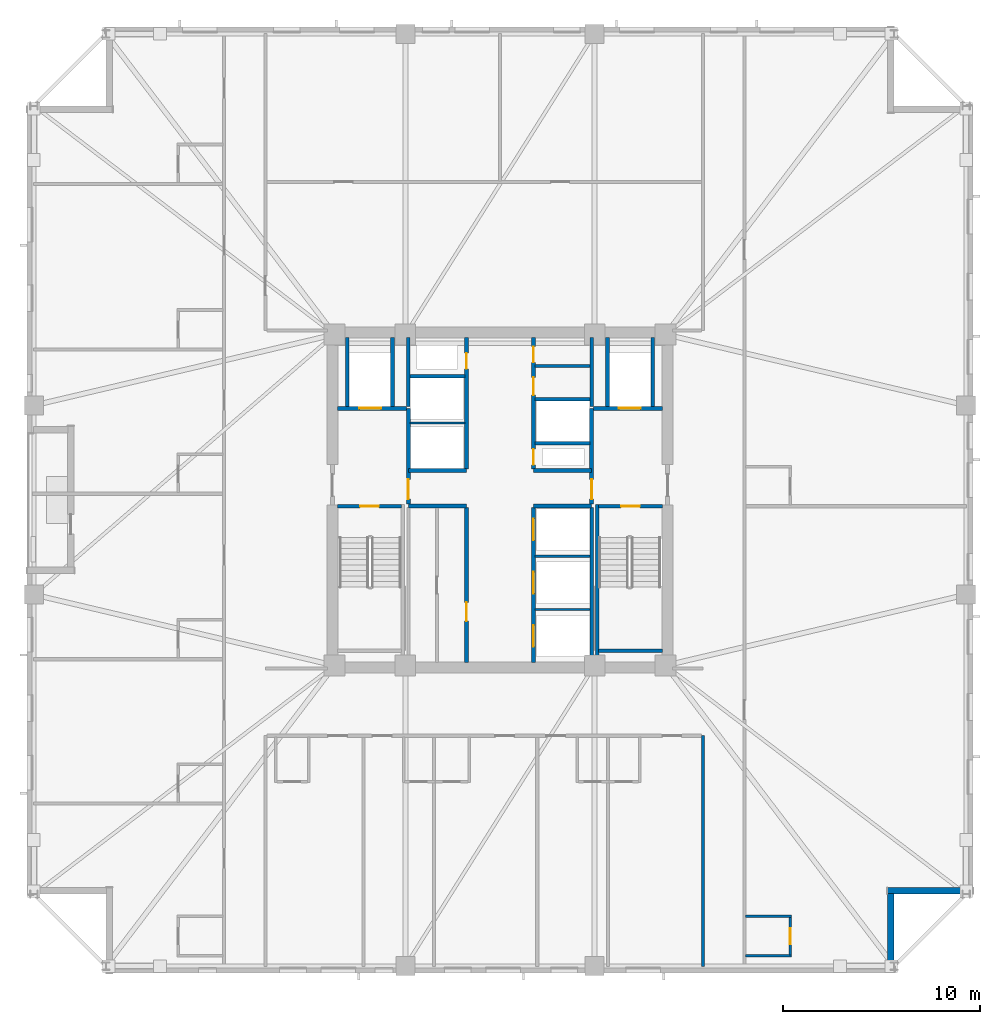
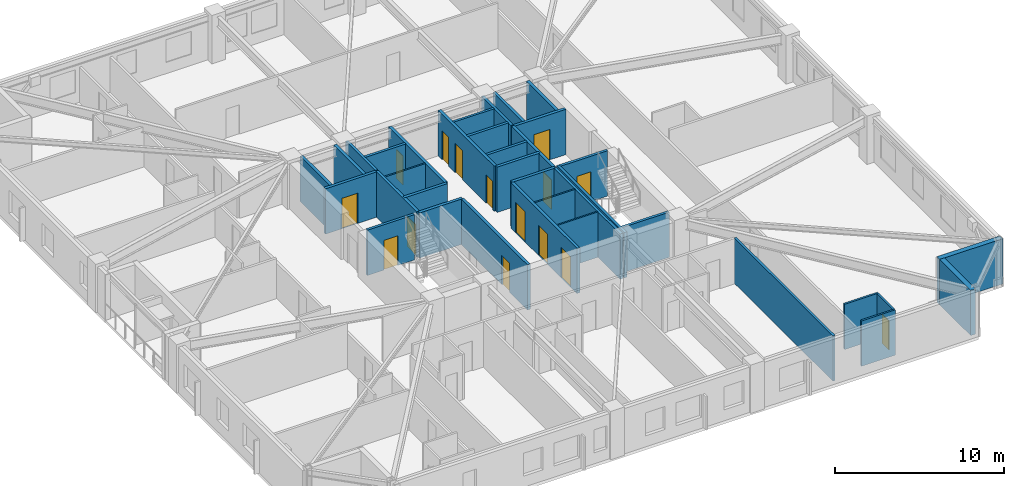
# One storey, part 4 of 11: 36 walls, 15 doors, 15 openings.
"""IFC4 building model written with IfcOpenShell, lengths in metres."""

from ifc_helpers import new_model, si_unit, direction, frame, frame_2d, origin, place, context, subcontext, project, spatial, rectangle, extrude, material, layer, layer_set, type_object, element, fill, save


model = new_model("IFC4")

# Units and contexts
model_context = context("Model", 3, precision=1e-05, world=origin(), true_north=direction((0.0, 1.0)))
body_context = subcontext(model_context, "Body", "Model", "MODEL_VIEW")
ifc_project = project(units=[si_unit("LENGTHUNIT", "METRE"), si_unit("AREAUNIT", "SQUARE_METRE"), si_unit("VOLUMEUNIT", "CUBIC_METRE"), si_unit("PLANEANGLEUNIT", "RADIAN"), si_unit("MASSUNIT", "GRAM", prefix="KILO")], contexts=[model_context])

# Site, building, storey
site_placement = place(None, origin())
site = spatial("IfcSite", under=ifc_project, at=site_placement, CompositionType="ELEMENT")
building_placement = place(site_placement, origin())
building = spatial("IfcBuilding", under=site, at=building_placement, Name="Cairnveth Concourse Tower", CompositionType="ELEMENT")
storey_placement = place(building_placement, frame((0.0, 0.0, 123.5)))
storey = spatial("IfcBuildingStorey", under=building, at=storey_placement, Name="L33", CompositionType="ELEMENT", Elevation=123.5)

# Walls
ifc_material_1 = material(Name="Gypsum Plasterboard Partition", Category="gypsum")
ifc_layer_1 = layer(ifc_material_1, 0.159912109375)
ifc_layer_set_1 = layer_set([ifc_layer_1], Name="Gypsum Plasterboard Partition")
wall_type_1 = type_object("IfcWallType", Name="ACOUSTIC PARTY WALL 180", PredefinedType="PARTITIONING", material=ifc_layer_set_1)
wall_1_placement = place(storey_placement, frame((53.784912109375, 45.800048828125, 0.0), z_axis=(0.0, 0.0, 1.0), x_axis=(1.0, 0.0, 0.0)))
element("IfcWall", 1, at=wall_1_placement, inside=storey, type_object=wall_type_1, Name="Interior Wall IW-L33-036", PredefinedType="PARTITIONING", context=body_context, shape_type="SweptSolid", body=[
    extrude(rectangle(XDim=2.7900390625, YDim=0.159912109375, at=frame_2d((1.39501953125, 0.0))), origin(), (0.0, 0.0, 1.0), 3.280029296875),
])
wall_2_placement = place(storey_placement, frame((62.300048828125, 15.324951171875, 0.0), z_axis=(0.0, 0.0, 1.0), x_axis=(0.0, 1.0, 0.0)))
element("IfcWall", 2, at=wall_2_placement, inside=storey, type_object=wall_type_1, Name="Interior Wall IW-L33-043", PredefinedType="PARTITIONING", context=body_context, shape_type="SweptSolid", body=[
    extrude(rectangle(XDim=11.715087890625, YDim=0.159912109375, at=frame_2d((5.857421875, 0.0))), origin(), (0.0, 0.0, 1.0), 3.280029296875),
])
ifc_material_2 = material(Name="Concrete N50 (50 MPa)", Category="concrete")
ifc_layer_2 = layer(ifc_material_2, 0.179931640625)
ifc_layer_set_2 = layer_set([ifc_layer_2], Name="Concrete N50 (50 MPa)")
wall_type_2 = type_object("IfcWallType", Name="FIRE SHAFT WALL 180", PredefinedType="SOLIDWALL", material=ifc_layer_set_2)
wall_3_placement = place(storey_placement, frame((56.64990234375, 30.760009765625, 0.0), z_axis=(0.0, 0.0, 1.0), x_axis=(0.0, 1.0, 0.0)))
element("IfcWall", 3, at=wall_3_placement, inside=storey, type_object=wall_type_2, Name="Interior Wall IW-L33-027", PredefinedType="SOLIDWALL", context=body_context, shape_type="SweptSolid", body=[
    extrude(rectangle(XDim=7.85498046875, YDim=0.179931640625, at=frame_2d((3.927490234375, 0.0))), origin(), (0.0, 0.0, 1.0), 3.280029296875),
])
wall_4_placement = place(storey_placement, frame((47.35009765625, 43.735107421875, 0.0), z_axis=(0.0, 0.0, 1.0), x_axis=(0.0, 1.0, 0.0)))
element("IfcWall", 4, at=wall_4_placement, inside=storey, type_object=wall_type_2, Name="Interior Wall IW-L33-030", PredefinedType="SOLIDWALL", context=body_context, shape_type="SweptSolid", body=[
    extrude(rectangle(XDim=3.5048828125, YDim=0.179931640625, at=frame_2d((1.75244140625, 0.0))), origin(), (0.0, 0.0, 1.0), 3.280029296875),
])
wall_5_placement = place(storey_placement, frame((47.425048828125, 45.280029296875, 0.0), z_axis=(0.0, 0.0, 1.0), x_axis=(1.0, 0.0, 0.0)))
element("IfcWall", 5, at=wall_5_placement, inside=storey, type_object=wall_type_2, Name="Interior Wall IW-L33-032", PredefinedType="SOLIDWALL", context=body_context, shape_type="SweptSolid", body=[
    extrude(rectangle(XDim=2.7900390625, YDim=0.179931640625, at=frame_2d((1.39501953125, 0.0))), origin(), (0.0, 0.0, 1.0), 3.280029296875),
])
wall_6_placement = place(storey_placement, frame((56.64990234375, 43.735107421875, 0.0), z_axis=(0.0, 0.0, 1.0), x_axis=(0.0, 1.0, 0.0)))
element("IfcWall", 6, at=wall_6_placement, inside=storey, type_object=wall_type_2, Name="Interior Wall IW-L33-033", PredefinedType="SOLIDWALL", context=body_context, shape_type="SweptSolid", body=[
    extrude(rectangle(XDim=3.5048828125, YDim=0.179931640625, at=frame_2d((1.75244140625, 0.0))), origin(), (0.0, 0.0, 1.0), 3.280029296875),
])
wall_7_placement = place(storey_placement, frame((53.784912109375, 41.8798828125, 0.0), z_axis=(0.0, 0.0, 1.0), x_axis=(1.0, 0.0, 0.0)))
element("IfcWall", 7, at=wall_7_placement, inside=storey, type_object=wall_type_2, Name="Interior Wall IW-L33-034", PredefinedType="SOLIDWALL", context=body_context, shape_type="SweptSolid", body=[
    extrude(rectangle(XDim=2.780029296875, YDim=0.179931640625, at=frame_2d((1.39013671875, 0.0))), origin(), (0.0, 0.0, 1.0), 3.280029296875),
])
wall_8_placement = place(storey_placement, frame((53.784912109375, 44.1201171875, 0.0), z_axis=(0.0, 0.0, 1.0), x_axis=(1.0, 0.0, 0.0)))
element("IfcWall", 8, at=wall_8_placement, inside=storey, type_object=wall_type_2, Name="Interior Wall IW-L33-035", PredefinedType="SOLIDWALL", context=body_context, shape_type="SweptSolid", body=[
    extrude(rectangle(XDim=2.7900390625, YDim=0.179931640625, at=frame_2d((1.39501953125, 0.0))), origin(), (0.0, 0.0, 1.0), 3.280029296875),
])

# Wall, opening, door
wall_9_placement = place(storey_placement, frame((43.764892578125, 38.68994140625, 0.0), z_axis=(0.0, 0.0, 1.0), x_axis=(1.0, 0.0, 0.0)))
wall_9 = element("IfcWall", 9, at=wall_9_placement, inside=storey, type_object=wall_type_2, Name="Stair ST-1 Shaft Wall NEAR L33", PredefinedType="SOLIDWALL", context=body_context, shape_type="SweptSolid", body=[
    extrude(rectangle(XDim=3.230224609375, YDim=0.179931640625, at=frame_2d((1.615234375, 0.0))), origin(), (0.0, 0.0, 1.0), 3.280029296875),
])
opening_1_placement = place(wall_9_placement, frame((1.139892578125, 0.0, 0.0)))
opening_1 = element("IfcOpeningElement", 10, at=opening_1_placement, cuts=wall_9, Name="Opening ID12", PredefinedType="OPENING", context=body_context, shape_type="SweptSolid", body=[
    extrude(rectangle(XDim=0.949951171875, YDim=2.14990234375, at=frame_2d((0.47509765625, 1.074951171875))), frame((0.0, 0.099853515625, 0.0), z_axis=(0.0, -1.0, 0.0), x_axis=(1.0, 0.0, 0.0)), (0.0, 0.0, 1.0), 0.199951171875),
])
ifc_material_3 = material(Name="Steel Grade 350", Category="steel")
door_type_1 = type_object("IfcDoorType", Name="FIRE STAIR DOOR 950X2150", OperationType="NOTDEFINED", PredefinedType="DOOR", material=ifc_material_3)
door_1_placement = place(opening_1_placement, origin())
door_1 = element("IfcDoor", 11, at=door_1_placement, inside=storey, type_object=door_type_1, Name="Stair ST-1 Fire Door L33", OperationType="SINGLE_SWING_LEFT", OverallHeight=2.14990234375, OverallWidth=0.949951171875, PredefinedType="DOOR", context=body_context, shape_type="SweptSolid", body=[
    extrude(rectangle(XDim=0.949951171875, YDim=2.14990234375, at=frame_2d((0.47509765625, 1.074951171875))), frame((0.0, 0.02490234375, 0.0), z_axis=(0.0, -1.0, 0.0), x_axis=(1.0, 0.0, 0.0)), (0.0, 0.0, 1.0), 0.050048828125),
])
fill(opening_1, door_1)

wall_10_placement = place(storey_placement, frame((57.0048828125, 38.68994140625, 0.0), z_axis=(0.0, 0.0, 1.0), x_axis=(1.0, 0.0, 0.0)))
wall_10 = element("IfcWall", 12, at=wall_10_placement, inside=storey, type_object=wall_type_2, Name="Stair ST-2 Shaft Wall NEAR L33", PredefinedType="SOLIDWALL", context=body_context, shape_type="SweptSolid", body=[
    extrude(rectangle(XDim=3.230224609375, YDim=0.179931640625, at=frame_2d((1.615234375, 0.0))), origin(), (0.0, 0.0, 1.0), 3.280029296875),
])
opening_2_placement = place(wall_10_placement, frame((1.139892578125, 0.0, 0.0)))
opening_2 = element("IfcOpeningElement", 13, at=opening_2_placement, cuts=wall_10, Name="Opening ID12", PredefinedType="OPENING", context=body_context, shape_type="SweptSolid", body=[
    extrude(rectangle(XDim=0.949951171875, YDim=2.14990234375, at=frame_2d((0.47509765625, 1.074951171875))), frame((0.0, 0.099853515625, 0.0), z_axis=(0.0, -1.0, 0.0), x_axis=(1.0, 0.0, 0.0)), (0.0, 0.0, 1.0), 0.199951171875),
])
door_2_placement = place(opening_2_placement, origin())
door_2 = element("IfcDoor", 14, at=door_2_placement, inside=storey, type_object=door_type_1, Name="Stair ST-2 Fire Door L33", OperationType="SINGLE_SWING_RIGHT", OverallHeight=2.14990234375, OverallWidth=0.949951171875, PredefinedType="DOOR", context=body_context, shape_type="SweptSolid", body=[
    extrude(rectangle(XDim=0.949951171875, YDim=2.14990234375, at=frame_2d((0.47509765625, 1.074951171875))), frame((0.0, 0.02490234375, 0.0), z_axis=(0.0, -1.0, 0.0), x_axis=(1.0, 0.0, 0.0)), (0.0, 0.0, 1.0), 0.050048828125),
])
fill(opening_2, door_2)

# Walls
wall_11_placement = place(storey_placement, frame((57.0048828125, 31.360107421875, 0.0), z_axis=(0.0, 0.0, 1.0), x_axis=(1.0, 0.0, 0.0)))
element("IfcWall", 15, at=wall_11_placement, inside=storey, type_object=wall_type_2, Name="Stair ST-2 Shaft Wall FAR L33", PredefinedType="SOLIDWALL", context=body_context, shape_type="SweptSolid", body=[
    extrude(rectangle(XDim=3.230224609375, YDim=0.179931640625, at=frame_2d((1.615234375, 0.0))), origin(), (0.0, 0.0, 1.0), 3.280029296875),
])
wall_12_placement = place(storey_placement, frame((56.929931640625, 38.780029296875, 0.0), z_axis=(0.0, 0.0, 1.0), x_axis=(0.0, -1.0, 0.0)))
element("IfcWall", 16, at=wall_12_placement, inside=storey, type_object=wall_type_2, Name="Stair ST-2 Shaft Wall LEFT L33", PredefinedType="SOLIDWALL", context=body_context, shape_type="SweptSolid", body=[
    extrude(rectangle(XDim=8.01708984375, YDim=0.179931640625, at=frame_2d((4.008544921875, 0.0))), origin(), (0.0, 0.0, 1.0), 3.280029296875),
])
ifc_layer_3 = layer(ifc_material_2, 0.199951171875)
ifc_layer_set_3 = layer_set([ifc_layer_3], Name="Concrete N50 (50 MPa)")
wall_type_3 = type_object("IfcWallType", Name="FIRE SHAFT WALL 200", PredefinedType="SOLIDWALL", material=ifc_layer_set_3)
for number, where, z_axis, x_axis, name in (
    (17, (47.35009765625, 38.699951171875, 0.0), (0.0, 0.0, 1.0), (1.0, 0.0, 0.0), "Interior Wall IW-L33-007"),
    (18, (47.35009765625, 40.5, 0.0), (0.0, 0.0, 1.0), (1.0, 0.0, 0.0), "Interior Wall IW-L33-008"),
    (19, (53.699951171875, 38.699951171875, 0.0), (0.0, 0.0, 1.0), (1.0, 0.0, 0.0), "Interior Wall IW-L33-009"),
    (20, (53.699951171875, 40.5, 0.0), (0.0, 0.0, 1.0), (1.0, 0.0, 0.0), "Interior Wall IW-L33-010"),
):
    element("IfcWall", number, at=place(storey_placement, frame(where, z_axis=z_axis, x_axis=x_axis)), inside=storey, type_object=wall_type_3, Name=name, PredefinedType="SOLIDWALL", context=body_context, shape_type="SweptSolid", body=[
        extrude(rectangle(XDim=2.949951171875, YDim=0.199951171875, at=frame_2d((1.47509765625, 0.0))), origin(), (0.0, 0.0, 1.0), 3.280029296875),
    ])

# Wall, opening, door
wall_13_placement = place(storey_placement, frame((50.300048828125, 30.760009765625, 0.0), z_axis=(0.0, 0.0, 1.0), x_axis=(0.0, 1.0, 0.0)))
wall_13 = element("IfcWall", 21, at=wall_13_placement, inside=storey, type_object=wall_type_3, Name="Interior Wall IW-L33-011", PredefinedType="SOLIDWALL", context=body_context, shape_type="SweptSolid", body=[
    extrude(rectangle(XDim=7.85498046875, YDim=0.199951171875, at=frame_2d((3.927490234375, 0.0))), origin(), (0.0, 0.0, 1.0), 3.280029296875),
])
opening_3_placement = place(wall_13_placement, frame((2.090087890625, 0.0, 0.0)))
opening_3 = element("IfcOpeningElement", 22, at=opening_3_placement, cuts=wall_13, Name="Opening ID25", PredefinedType="OPENING", context=body_context, shape_type="SweptSolid", body=[
    extrude(rectangle(XDim=0.949951171875, YDim=2.1201171875, at=frame_2d((0.47509765625, 1.06005859375))), frame((0.0, 0.10986328125, 0.0), z_axis=(0.0, -1.0, 0.0), x_axis=(1.0, 0.0, 0.0)), (0.0, 0.0, 1.0), 0.219970703125),
])
door_type_2 = type_object("IfcDoorType", Name="CORE ACCESSIBLE FIRE DOOR 950X2120", OperationType="NOTDEFINED", PredefinedType="DOOR", material=ifc_material_3)
door_3_placement = place(opening_3_placement, origin())
door_3 = element("IfcDoor", 23, at=door_3_placement, inside=storey, type_object=door_type_2, Name="Accessible WC Suite Door L33", OperationType="SINGLE_SWING_LEFT", OverallHeight=2.1201171875, OverallWidth=0.949951171875, PredefinedType="DOOR", context=body_context, shape_type="SweptSolid", body=[
    extrude(rectangle(XDim=0.949951171875, YDim=2.1201171875, at=frame_2d((0.47509765625, 1.06005859375))), frame((0.0, 0.02490234375, 0.0), z_axis=(0.0, -1.0, 0.0), x_axis=(1.0, 0.0, 0.0)), (0.0, 0.0, 1.0), 0.050048828125),
])
fill(opening_3, door_3)

# Wall, openings, doors
wall_14_placement = place(storey_placement, frame((53.699951171875, 30.760009765625, 0.0), z_axis=(0.0, 0.0, 1.0), x_axis=(0.0, 1.0, 0.0)))
wall_14 = element("IfcWall", 24, at=wall_14_placement, inside=storey, type_object=wall_type_3, Name="Interior Wall IW-L33-012", PredefinedType="SOLIDWALL", context=body_context, shape_type="SweptSolid", body=[
    extrude(rectangle(XDim=7.85498046875, YDim=0.199951171875, at=frame_2d((3.927490234375, 0.0))), origin(), (0.0, 0.0, 1.0), 3.280029296875),
])
opening_4_placement = place(wall_14_placement, frame((0.7900390625, 0.0, 0.0)))
opening_4 = element("IfcOpeningElement", 25, at=opening_4_placement, cuts=wall_14, Name="Opening LD-1", PredefinedType="OPENING", context=body_context, shape_type="SweptSolid", body=[
    extrude(rectangle(XDim=1.10009765625, YDim=2.199951171875, at=frame_2d((0.550048828125, 1.10009765625))), frame((0.0, 0.10986328125, 0.0), z_axis=(0.0, -1.0, 0.0), x_axis=(1.0, 0.0, 0.0)), (0.0, 0.0, 1.0), 0.219970703125),
])
opening_5_placement = place(wall_14_placement, frame((3.489990234375, 0.0, 0.0)))
opening_5 = element("IfcOpeningElement", 26, at=opening_5_placement, cuts=wall_14, Name="Opening LD-1", PredefinedType="OPENING", context=body_context, shape_type="SweptSolid", body=[
    extrude(rectangle(XDim=1.10009765625, YDim=2.199951171875, at=frame_2d((0.550048828125, 1.10009765625))), frame((0.0, 0.10986328125, 0.0), z_axis=(0.0, -1.0, 0.0), x_axis=(1.0, 0.0, 0.0)), (0.0, 0.0, 1.0), 0.219970703125),
])
opening_6_placement = place(wall_14_placement, frame((6.18994140625, 0.0, 0.0)))
opening_6 = element("IfcOpeningElement", 27, at=opening_6_placement, cuts=wall_14, Name="Opening LD-1", PredefinedType="OPENING", context=body_context, shape_type="SweptSolid", body=[
    extrude(rectangle(XDim=1.10009765625, YDim=2.199951171875, at=frame_2d((0.550048828125, 1.10009765625))), frame((0.0, 0.10986328125, 0.0), z_axis=(0.0, -1.0, 0.0), x_axis=(1.0, 0.0, 0.0)), (0.0, 0.0, 1.0), 0.219970703125),
])
ifc_material_4 = material(Name="Architectural Bronze Anodised Aluminium 6063-T6", Category="aluminium")
door_type_3 = type_object("IfcDoorType", Name="LIFT LANDING DOOR 1100X2200", OperationType="SLIDING_TO_LEFT", PredefinedType="DOOR", material=ifc_material_4)
door_4_placement = place(opening_4_placement, origin())
door_4 = element("IfcDoor", 28, at=door_4_placement, inside=storey, type_object=door_type_3, Name="Lift PL4 Landing Door L33", OperationType="SLIDING_TO_LEFT", OverallHeight=2.199951171875, OverallWidth=1.10009765625, PredefinedType="DOOR", context=body_context, shape_type="SweptSolid", body=[
    extrude(rectangle(XDim=1.10009765625, YDim=2.199951171875, at=frame_2d((0.550048828125, 1.10009765625))), frame((0.0, 0.02490234375, 0.0), z_axis=(0.0, -1.0, 0.0), x_axis=(1.0, 0.0, 0.0)), (0.0, 0.0, 1.0), 0.050048828125),
])
fill(opening_4, door_4)
door_5_placement = place(opening_5_placement, origin())
door_5 = element("IfcDoor", 29, at=door_5_placement, inside=storey, type_object=door_type_3, Name="Lift PL5 Landing Door L33", OperationType="SLIDING_TO_LEFT", OverallHeight=2.199951171875, OverallWidth=1.10009765625, PredefinedType="DOOR", context=body_context, shape_type="SweptSolid", body=[
    extrude(rectangle(XDim=1.10009765625, YDim=2.199951171875, at=frame_2d((0.550048828125, 1.10009765625))), frame((0.0, 0.02490234375, 0.0), z_axis=(0.0, -1.0, 0.0), x_axis=(1.0, 0.0, 0.0)), (0.0, 0.0, 1.0), 0.050048828125),
])
fill(opening_5, door_5)
door_6_placement = place(opening_6_placement, origin())
door_6 = element("IfcDoor", 30, at=door_6_placement, inside=storey, type_object=door_type_3, Name="Lift PL6 Landing Door L33", OperationType="SLIDING_TO_LEFT", OverallHeight=2.199951171875, OverallWidth=1.10009765625, PredefinedType="DOOR", context=body_context, shape_type="SweptSolid", body=[
    extrude(rectangle(XDim=1.10009765625, YDim=2.199951171875, at=frame_2d((0.550048828125, 1.10009765625))), frame((0.0, 0.02490234375, 0.0), z_axis=(0.0, -1.0, 0.0), x_axis=(1.0, 0.0, 0.0)), (0.0, 0.0, 1.0), 0.050048828125),
])
fill(opening_6, door_6)

# Wall, opening, door
wall_15_placement = place(storey_placement, frame((50.300048828125, 40.5849609375, 0.0), z_axis=(0.0, 0.0, 1.0), x_axis=(0.0, 1.0, 0.0)))
wall_15 = element("IfcWall", 31, at=wall_15_placement, inside=storey, type_object=wall_type_3, Name="Interior Wall IW-L33-013", PredefinedType="SOLIDWALL", context=body_context, shape_type="SweptSolid", body=[
    extrude(rectangle(XDim=6.655029296875, YDim=0.199951171875, at=frame_2d((3.32763671875, 0.0))), origin(), (0.0, 0.0, 1.0), 3.280029296875),
])
opening_7_placement = place(wall_15_placement, frame((5.06494140625, 0.0, 0.0)))
opening_7 = element("IfcOpeningElement", 32, at=opening_7_placement, cuts=wall_15, Name="Opening ID24", PredefinedType="OPENING", context=body_context, shape_type="SweptSolid", body=[
    extrude(rectangle(XDim=0.800048828125, YDim=2.080078125, at=frame_2d((0.39990234375, 1.0400390625))), frame((0.0, 0.10986328125, 0.0), z_axis=(0.0, -1.0, 0.0), x_axis=(1.0, 0.0, 0.0)), (0.0, 0.0, 1.0), 0.219970703125),
])
door_type_4 = type_object("IfcDoorType", Name="RISER ACCESS DOOR 800X2100", OperationType="NOTDEFINED", PredefinedType="DOOR", material=ifc_material_3)
door_7_placement = place(opening_7_placement, origin())
door_7 = element("IfcDoor", 33, at=door_7_placement, inside=storey, type_object=door_type_4, Name="NW Electrical Riser Access Door L33", OperationType="SINGLE_SWING_RIGHT", OverallHeight=2.080078125, OverallWidth=0.800048828125, PredefinedType="DOOR", context=body_context, shape_type="SweptSolid", body=[
    extrude(rectangle(XDim=0.800048828125, YDim=2.080078125, at=frame_2d((0.39990234375, 1.0400390625))), frame((0.0, 0.02490234375, 0.0), z_axis=(0.0, -1.0, 0.0), x_axis=(1.0, 0.0, 0.0)), (0.0, 0.0, 1.0), 0.050048828125),
])
fill(opening_7, door_7)

# Wall, openings, doors
wall_16_placement = place(storey_placement, frame((53.699951171875, 40.5849609375, 0.0), z_axis=(0.0, 0.0, 1.0), x_axis=(0.0, 1.0, 0.0)))
wall_16 = element("IfcWall", 34, at=wall_16_placement, inside=storey, type_object=wall_type_3, Name="Interior Wall IW-L33-014", PredefinedType="SOLIDWALL", context=body_context, shape_type="SweptSolid", body=[
    extrude(rectangle(XDim=6.655029296875, YDim=0.199951171875, at=frame_2d((3.32763671875, 0.0))), origin(), (0.0, 0.0, 1.0), 3.280029296875),
])
opening_8_placement = place(wall_16_placement, frame((0.195068359375, 0.0, 0.0)))
opening_8 = element("IfcOpeningElement", 35, at=opening_8_placement, cuts=wall_16, Name="Opening ID24", PredefinedType="OPENING", context=body_context, shape_type="SweptSolid", body=[
    extrude(rectangle(XDim=0.800048828125, YDim=2.080078125, at=frame_2d((0.39990234375, 1.0400390625))), frame((0.0, 0.10986328125, 0.0), z_axis=(0.0, -1.0, 0.0), x_axis=(1.0, 0.0, 0.0)), (0.0, 0.0, 1.0), 0.219970703125),
])
opening_9_placement = place(wall_16_placement, frame((3.735107421875, 0.0, 0.0)))
opening_9 = element("IfcOpeningElement", 36, at=opening_9_placement, cuts=wall_16, Name="Opening ID26", PredefinedType="OPENING", context=body_context, shape_type="SweptSolid", body=[
    extrude(rectangle(XDim=0.89990234375, YDim=2.1201171875, at=frame_2d((0.449951171875, 1.06005859375))), frame((0.0, 0.10986328125, 0.0), z_axis=(0.0, -1.0, 0.0), x_axis=(1.0, 0.0, 0.0)), (0.0, 0.0, 1.0), 0.219970703125),
])
opening_10_placement = place(wall_16_placement, frame((5.39501953125, 0.0, 0.0)))
opening_10 = element("IfcOpeningElement", 37, at=opening_10_placement, cuts=wall_16, Name="Opening ID23", PredefinedType="OPENING", context=body_context, shape_type="SweptSolid", body=[
    extrude(rectangle(XDim=0.800048828125, YDim=2.10009765625, at=frame_2d((0.39990234375, 1.050048828125))), frame((0.0, 0.10986328125, 0.0), z_axis=(0.0, -1.0, 0.0), x_axis=(1.0, 0.0, 0.0)), (0.0, 0.0, 1.0), 0.219970703125),
])
door_type_5 = type_object("IfcDoorType", Name="CORE SERVICE DOOR 800X2100", OperationType="NOTDEFINED", PredefinedType="DOOR", material=ifc_material_3)
door_8_placement = place(opening_10_placement, origin())
door_8 = element("IfcDoor", 38, at=door_8_placement, inside=storey, type_object=door_type_5, Name="Core NE Cleaners Door L33", OperationType="SINGLE_SWING_LEFT", OverallHeight=2.10009765625, OverallWidth=0.800048828125, PredefinedType="DOOR", context=body_context, shape_type="SweptSolid", body=[
    extrude(rectangle(XDim=0.800048828125, YDim=2.10009765625, at=frame_2d((0.39990234375, 1.050048828125))), frame((0.0, 0.02490234375, 0.0), z_axis=(0.0, -1.0, 0.0), x_axis=(1.0, 0.0, 0.0)), (0.0, 0.0, 1.0), 0.050048828125),
])
fill(opening_10, door_8)
door_type_6 = type_object("IfcDoorType", Name="CORE TOILET FIRE DOOR 900X2120", OperationType="NOTDEFINED", PredefinedType="DOOR", material=ifc_material_3)
door_9_placement = place(opening_9_placement, origin())
door_9 = element("IfcDoor", 39, at=door_9_placement, inside=storey, type_object=door_type_6, Name="Core NE Unisex WC Door L33", OperationType="SINGLE_SWING_RIGHT", OverallHeight=2.1201171875, OverallWidth=0.89990234375, PredefinedType="DOOR", context=body_context, shape_type="SweptSolid", body=[
    extrude(rectangle(XDim=0.89990234375, YDim=2.1201171875, at=frame_2d((0.449951171875, 1.06005859375))), frame((0.0, 0.02490234375, 0.0), z_axis=(0.0, -1.0, 0.0), x_axis=(1.0, 0.0, 0.0)), (0.0, 0.0, 1.0), 0.050048828125),
])
fill(opening_9, door_9)
door_10_placement = place(opening_8_placement, origin())
door_10 = element("IfcDoor", 40, at=door_10_placement, inside=storey, type_object=door_type_4, Name="Hydraulic Riser Door L33", OperationType="SINGLE_SWING_LEFT", OverallHeight=2.080078125, OverallWidth=0.800048828125, PredefinedType="DOOR", context=body_context, shape_type="SweptSolid", body=[
    extrude(rectangle(XDim=0.800048828125, YDim=2.080078125, at=frame_2d((0.39990234375, 1.0400390625))), frame((0.0, 0.02490234375, 0.0), z_axis=(0.0, -1.0, 0.0), x_axis=(1.0, 0.0, 0.0)), (0.0, 0.0, 1.0), 0.050048828125),
])
fill(opening_8, door_10)

# Wall, opening, door
wall_17_placement = place(storey_placement, frame((47.35009765625, 38.784912109375, 0.0), z_axis=(0.0, 0.0, 1.0), x_axis=(0.0, 1.0, 0.0)))
wall_17 = element("IfcWall", 41, at=wall_17_placement, inside=storey, type_object=wall_type_3, Name="Interior Wall IW-L33-016", PredefinedType="SOLIDWALL", context=body_context, shape_type="SweptSolid", body=[
    extrude(rectangle(XDim=4.864990234375, YDim=0.199951171875, at=frame_2d((2.4326171875, 0.0))), origin(), (0.0, 0.0, 1.0), 3.280029296875),
])
opening_11_placement = place(wall_17_placement, frame((0.264892578125, 0.0, 0.0)))
opening_11 = element("IfcOpeningElement", 42, at=opening_11_placement, cuts=wall_17, Name="Opening ID07", PredefinedType="OPENING", context=body_context, shape_type="SweptSolid", body=[
    extrude(rectangle(XDim=1.0, YDim=2.14990234375, at=frame_2d((0.5, 1.074951171875))), frame((0.0, 0.10986328125, 0.0), z_axis=(0.0, -1.0, 0.0), x_axis=(1.0, 0.0, 0.0)), (0.0, 0.0, 1.0), 0.219970703125),
])
door_type_7 = type_object("IfcDoorType", Name="FIRE CORRIDOR DOOR 1000X2150", OperationType="NOTDEFINED", PredefinedType="DOOR", material=ifc_material_3)
door_11_placement = place(opening_11_placement, origin())
door_11 = element("IfcDoor", 43, at=door_11_placement, inside=storey, type_object=door_type_7, Name="FF Lobby West to Lift Lobby Door L33", OperationType="SINGLE_SWING_RIGHT", OverallHeight=2.14990234375, OverallWidth=1.0, PredefinedType="DOOR", context=body_context, shape_type="SweptSolid", body=[
    extrude(rectangle(XDim=1.0, YDim=2.14990234375, at=frame_2d((0.5, 1.074951171875))), frame((0.0, 0.02490234375, 0.0), z_axis=(0.0, -1.0, 0.0), x_axis=(1.0, 0.0, 0.0)), (0.0, 0.0, 1.0), 0.050048828125),
])
fill(opening_11, door_11)

wall_18_placement = place(storey_placement, frame((43.760009765625, 43.64990234375, 0.0), z_axis=(0.0, 0.0, 1.0), x_axis=(1.0, 0.0, 0.0)))
wall_18 = element("IfcWall", 44, at=wall_18_placement, inside=storey, type_object=wall_type_3, Name="Interior Wall IW-L33-017", PredefinedType="SOLIDWALL", context=body_context, shape_type="SweptSolid", body=[
    extrude(rectangle(XDim=3.5048828125, YDim=0.199951171875, at=frame_2d((1.75244140625, 0.0))), origin(), (0.0, 0.0, 1.0), 3.280029296875),
])
opening_12_placement = place(wall_18_placement, frame((1.110107421875, 0.0, 0.0)))
opening_12 = element("IfcOpeningElement", 45, at=opening_12_placement, cuts=wall_18, Name="Opening LD-1", PredefinedType="OPENING", context=body_context, shape_type="SweptSolid", body=[
    extrude(rectangle(XDim=1.10009765625, YDim=2.199951171875, at=frame_2d((0.550048828125, 1.10009765625))), frame((0.0, 0.10986328125, 0.0), z_axis=(0.0, -1.0, 0.0), x_axis=(1.0, 0.0, 0.0)), (0.0, 0.0, 1.0), 0.219970703125),
])
door_12_placement = place(opening_12_placement, origin())
door_12 = element("IfcDoor", 46, at=door_12_placement, inside=storey, type_object=door_type_3, Name="Lift FFL1 Landing Door L33", OperationType="SLIDING_TO_LEFT", OverallHeight=2.199951171875, OverallWidth=1.10009765625, PredefinedType="DOOR", context=body_context, shape_type="SweptSolid", body=[
    extrude(rectangle(XDim=1.10009765625, YDim=2.199951171875, at=frame_2d((0.550048828125, 1.10009765625))), frame((0.0, 0.02490234375, 0.0), z_axis=(0.0, -1.0, 0.0), x_axis=(1.0, 0.0, 0.0)), (0.0, 0.0, 1.0), 0.050048828125),
])
fill(opening_12, door_12)

# Walls
for number, where, z_axis, x_axis, name in (
    (47, (46.550048828125, 43.735107421875, 0.0), (0.0, 0.0, 1.0), (0.0, 1.0, 0.0), "Interior Wall IW-L33-018"),
    (48, (44.25, 43.735107421875, 0.0), (0.0, 0.0, 1.0), (0.0, 1.0, 0.0), "Interior Wall IW-L33-019"),
):
    element("IfcWall", number, at=place(storey_placement, frame(where, z_axis=z_axis, x_axis=x_axis)), inside=storey, type_object=wall_type_3, Name=name, PredefinedType="SOLIDWALL", context=body_context, shape_type="SweptSolid", body=[
        extrude(rectangle(XDim=3.5048828125, YDim=0.199951171875, at=frame_2d((1.75244140625, 0.0))), origin(), (0.0, 0.0, 1.0), 3.280029296875),
    ])

# Wall, opening, door
wall_19_placement = place(storey_placement, frame((56.64990234375, 38.784912109375, 0.0), z_axis=(0.0, 0.0, 1.0), x_axis=(0.0, 1.0, 0.0)))
wall_19 = element("IfcWall", 49, at=wall_19_placement, inside=storey, type_object=wall_type_3, Name="Interior Wall IW-L33-021", PredefinedType="SOLIDWALL", context=body_context, shape_type="SweptSolid", body=[
    extrude(rectangle(XDim=4.864990234375, YDim=0.199951171875, at=frame_2d((2.4326171875, 0.0))), origin(), (0.0, 0.0, 1.0), 3.280029296875),
])
opening_13_placement = place(wall_19_placement, frame((0.264892578125, 0.0, 0.0)))
opening_13 = element("IfcOpeningElement", 50, at=opening_13_placement, cuts=wall_19, Name="Opening ID07", PredefinedType="OPENING", context=body_context, shape_type="SweptSolid", body=[
    extrude(rectangle(XDim=1.0, YDim=2.14990234375, at=frame_2d((0.5, 1.074951171875))), frame((0.0, 0.10986328125, 0.0), z_axis=(0.0, -1.0, 0.0), x_axis=(1.0, 0.0, 0.0)), (0.0, 0.0, 1.0), 0.219970703125),
])
door_13_placement = place(opening_13_placement, origin())
door_13 = element("IfcDoor", 51, at=door_13_placement, inside=storey, type_object=door_type_7, Name="FF Lobby East to Lift Lobby Door L33", OperationType="SINGLE_SWING_LEFT", OverallHeight=2.14990234375, OverallWidth=1.0, PredefinedType="DOOR", context=body_context, shape_type="SweptSolid", body=[
    extrude(rectangle(XDim=1.0, YDim=2.14990234375, at=frame_2d((0.5, 1.074951171875))), frame((0.0, 0.02490234375, 0.0), z_axis=(0.0, -1.0, 0.0), x_axis=(1.0, 0.0, 0.0)), (0.0, 0.0, 1.0), 0.050048828125),
])
fill(opening_13, door_13)

wall_20_placement = place(storey_placement, frame((56.735107421875, 43.64990234375, 0.0), z_axis=(0.0, 0.0, 1.0), x_axis=(1.0, 0.0, 0.0)))
wall_20 = element("IfcWall", 52, at=wall_20_placement, inside=storey, type_object=wall_type_3, Name="Interior Wall IW-L33-022", PredefinedType="SOLIDWALL", context=body_context, shape_type="SweptSolid", body=[
    extrude(rectangle(XDim=3.5048828125, YDim=0.199951171875, at=frame_2d((1.75244140625, 0.0))), origin(), (0.0, 0.0, 1.0), 3.280029296875),
])
opening_14_placement = place(wall_20_placement, frame((1.294921875, 0.0, 0.0)))
opening_14 = element("IfcOpeningElement", 53, at=opening_14_placement, cuts=wall_20, Name="Opening LD-1", PredefinedType="OPENING", context=body_context, shape_type="SweptSolid", body=[
    extrude(rectangle(XDim=1.10009765625, YDim=2.199951171875, at=frame_2d((0.550048828125, 1.10009765625))), frame((0.0, 0.10986328125, 0.0), z_axis=(0.0, -1.0, 0.0), x_axis=(1.0, 0.0, 0.0)), (0.0, 0.0, 1.0), 0.219970703125),
])
door_14_placement = place(opening_14_placement, origin())
door_14 = element("IfcDoor", 54, at=door_14_placement, inside=storey, type_object=door_type_3, Name="Lift FFL2 Landing Door L33", OperationType="SLIDING_TO_LEFT", OverallHeight=2.199951171875, OverallWidth=1.10009765625, PredefinedType="DOOR", context=body_context, shape_type="SweptSolid", body=[
    extrude(rectangle(XDim=1.10009765625, YDim=2.199951171875, at=frame_2d((0.550048828125, 1.10009765625))), frame((0.0, 0.02490234375, 0.0), z_axis=(0.0, -1.0, 0.0), x_axis=(1.0, 0.0, 0.0)), (0.0, 0.0, 1.0), 0.050048828125),
])
fill(opening_14, door_14)

# Walls
for number, where, z_axis, x_axis, name in (
    (55, (57.449951171875, 43.735107421875, 0.0), (0.0, 0.0, 1.0), (0.0, 1.0, 0.0), "Interior Wall IW-L33-023"),
    (56, (59.75, 43.735107421875, 0.0), (0.0, 0.0, 1.0), (0.0, 1.0, 0.0), "Interior Wall IW-L33-024"),
):
    element("IfcWall", number, at=place(storey_placement, frame(where, z_axis=z_axis, x_axis=x_axis)), inside=storey, type_object=wall_type_3, Name=name, PredefinedType="SOLIDWALL", context=body_context, shape_type="SweptSolid", body=[
        extrude(rectangle(XDim=3.5048828125, YDim=0.199951171875, at=frame_2d((1.75244140625, 0.0))), origin(), (0.0, 0.0, 1.0), 3.280029296875),
    ])
ifc_layer_4 = layer(ifc_material_1, 0.110107421875)
ifc_layer_set_4 = layer_set([ifc_layer_4], Name="Gypsum Plasterboard Partition")
wall_type_4 = type_object("IfcWallType", Name="SHAFT DIVIDER WALL 140", PredefinedType="PARTITIONING", material=ifc_layer_set_4)
for number, where, z_axis, x_axis, name in (
    (57, (53.784912109375, 33.449951171875, 0.0), (0.0, 0.0, 1.0), (1.0, 0.0, 0.0), "Interior Wall IW-L33-028"),
    (58, (53.784912109375, 36.14990234375, 0.0), (0.0, 0.0, 1.0), (1.0, 0.0, 0.0), "Interior Wall IW-L33-029"),
):
    element("IfcWall", number, at=place(storey_placement, frame(where, z_axis=z_axis, x_axis=x_axis)), inside=storey, type_object=wall_type_4, Name=name, PredefinedType="PARTITIONING", context=body_context, shape_type="SweptSolid", body=[
        extrude(rectangle(XDim=2.7900390625, YDim=0.110107421875, at=frame_2d((1.39501953125, 0.0))), origin(), (0.0, 0.0, 1.0), 3.280029296875),
    ])
wall_21_placement = place(storey_placement, frame((47.43505859375, 42.89990234375, 0.0), z_axis=(0.0, 0.0, 1.0), x_axis=(1.0, 0.0, 0.0)))
element("IfcWall", 59, at=wall_21_placement, inside=storey, type_object=wall_type_4, Name="Interior Wall IW-L33-031", PredefinedType="PARTITIONING", context=body_context, shape_type="SweptSolid", body=[
    extrude(rectangle(XDim=2.780029296875, YDim=0.110107421875, at=frame_2d((1.39013671875, 0.0))), origin(), (0.0, 0.0, 1.0), 3.280029296875),
])
ifc_layer_5 = layer(ifc_material_1, 0.1298828125)
ifc_layer_set_5 = layer_set([ifc_layer_5], Name="Gypsum Plasterboard Partition")
wall_type_5 = type_object("IfcWallType", Name="WET AREA PARTITION 140", PredefinedType="PLUMBINGWALL", material=ifc_layer_set_5)
for number, where, z_axis, x_axis, name in (
    (60, (64.465087890625, 15.8701171875, 0.0), (0.0, 0.0, 1.0), (1.0, 0.0, 0.0), "Interior Wall IW-L33-083"),
    (61, (64.465087890625, 17.8701171875, 0.0), (0.0, 0.0, 1.0), (1.0, 0.0, 0.0), "Interior Wall IW-L33-084"),
):
    element("IfcWall", number, at=place(storey_placement, frame(where, z_axis=z_axis, x_axis=x_axis)), inside=storey, type_object=wall_type_5, Name=name, PredefinedType="PLUMBINGWALL", context=body_context, shape_type="SweptSolid", body=[
        extrude(rectangle(XDim=2.31494140625, YDim=0.1298828125, at=frame_2d((1.157470703125, 0.0))), origin(), (0.0, 0.0, 1.0), 3.280029296875),
    ])

# Wall, opening, door
wall_22_placement = place(storey_placement, frame((66.72998046875, 15.919921875, 0.0), z_axis=(0.0, 0.0, 1.0), x_axis=(0.0, 1.0, 0.0)))
wall_22 = element("IfcWall", 62, at=wall_22_placement, inside=storey, type_object=wall_type_5, Name="Interior Wall IW-L33-085", PredefinedType="PLUMBINGWALL", context=body_context, shape_type="SweptSolid", body=[
    extrude(rectangle(XDim=1.900146484375, YDim=0.1298828125, at=frame_2d((0.9501953125, 0.0))), origin(), (0.0, 0.0, 1.0), 3.280029296875),
])
opening_15_placement = place(wall_22_placement, frame((0.5400390625, 0.0, 0.0)))
opening_15 = element("IfcOpeningElement", 63, at=opening_15_placement, cuts=wall_22, Name="Opening ID22", PredefinedType="OPENING", context=body_context, shape_type="SweptSolid", body=[
    extrude(rectangle(XDim=0.820068359375, YDim=2.10009765625, at=frame_2d((0.41015625, 1.050048828125))), frame((0.0, 0.074951171875, 0.0), z_axis=(0.0, -1.0, 0.0), x_axis=(1.0, 0.0, 0.0)), (0.0, 0.0, 1.0), 0.14990234375),
])
ifc_material_5 = material(Name="Solid Core Hardwood Timber Leaf", Category="wood")
door_type_8 = type_object("IfcDoorType", Name="INTERIOR WC DOOR 820X2100", OperationType="NOTDEFINED", PredefinedType="DOOR", material=ifc_material_5)
door_15_placement = place(opening_15_placement, origin())
door_15 = element("IfcDoor", 64, at=door_15_placement, inside=storey, type_object=door_type_8, Name="En-Suite Door L33-E1", OperationType="SINGLE_SWING_LEFT", OverallHeight=2.10009765625, OverallWidth=0.820068359375, PredefinedType="DOOR", context=body_context, shape_type="SweptSolid", body=[
    extrude(rectangle(XDim=0.820068359375, YDim=2.10009765625, at=frame_2d((0.41015625, 1.050048828125))), frame((0.0, 0.02490234375, 0.0), z_axis=(0.0, -1.0, 0.0), x_axis=(1.0, 0.0, 0.0)), (0.0, 0.0, 1.0), 0.050048828125),
])
fill(opening_15, door_15)

# Walls
ifc_material_6 = material(Name="Hawthorn Red-Ochre Fired Clay Brick Masonry", Category="masonry")
ifc_layer_6 = layer(ifc_material_6, 0.340087890625)
ifc_layer_set_6 = layer_set([ifc_layer_6], Name="Hawthorn Red-Ochre Fired Clay Brick Masonry")
wall_type_6 = type_object("IfcWallType", Name="ZONE 2 BRICK PIER SPANDREL WALL 340", PredefinedType="SOLIDWALL", material=ifc_layer_set_6)
wall_23_placement = place(storey_placement, frame((76.0, 19.169921875, 0.0), z_axis=(0.0, 0.0, 1.0), x_axis=(-1.0, 0.0, 0.0)))
element("IfcWall", 65, at=wall_23_placement, inside=storey, type_object=wall_type_6, Name="Exterior Wall EW-L33-S07", PredefinedType="SOLIDWALL", context=body_context, shape_type="SweptSolid", body=[
    extrude(rectangle(XDim=4.340087890625, YDim=0.340087890625, at=frame_2d((2.169921875, 0.0))), origin(), (0.0, 0.0, 1.0), 3.280029296875),
])
wall_24_placement = place(storey_placement, frame((71.830078125, 19.02197265625, 0.0), z_axis=(0.0, 0.0, 1.0), x_axis=(0.0, -1.0, 0.0)))
element("IfcWall", 66, at=wall_24_placement, inside=storey, type_object=wall_type_6, Name="Exterior Wall EW-L33-S08", PredefinedType="SOLIDWALL", context=body_context, shape_type="SweptSolid", body=[
    extrude(rectangle(XDim=3.703857421875, YDim=0.340087890625, at=frame_2d((1.85205078125, 0.0))), origin(), (0.0, 0.0, 1.0), 3.280029296875),
])

save(model, "model.ifc")
